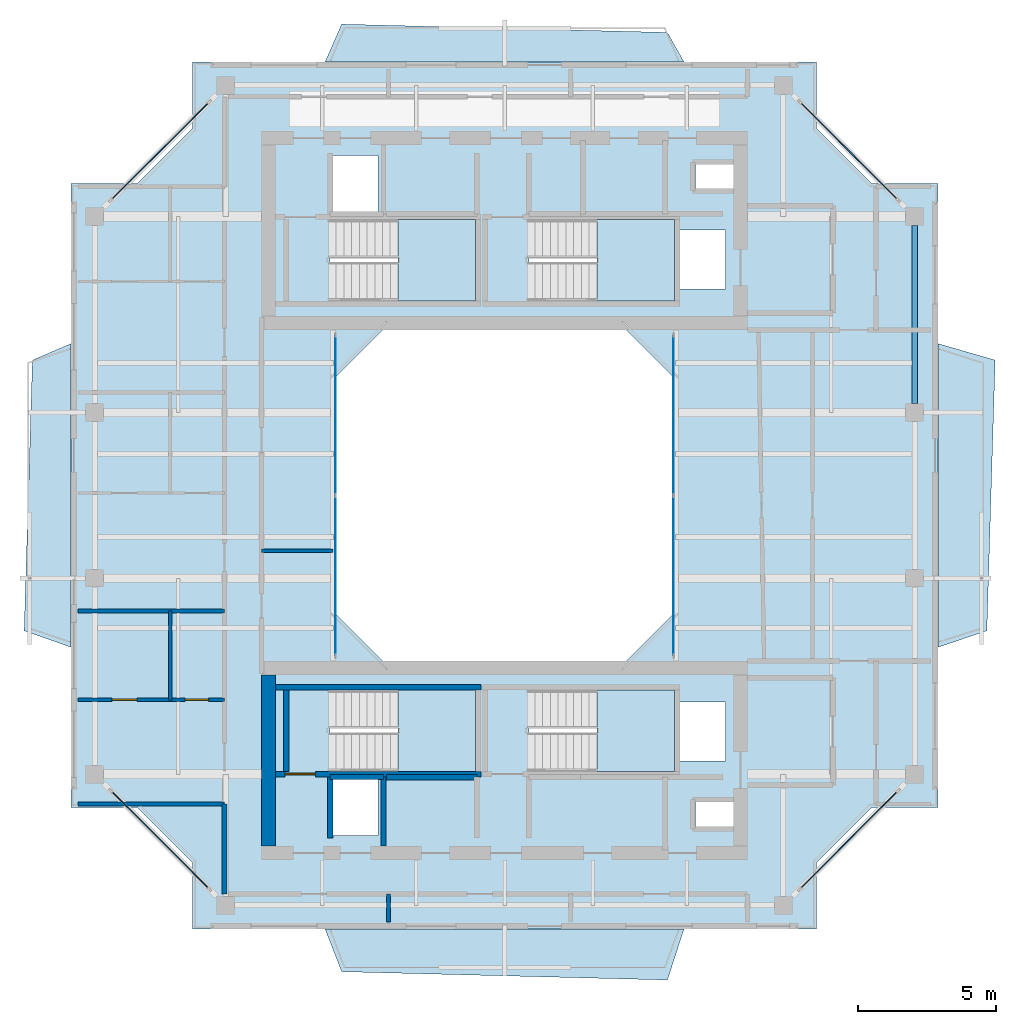
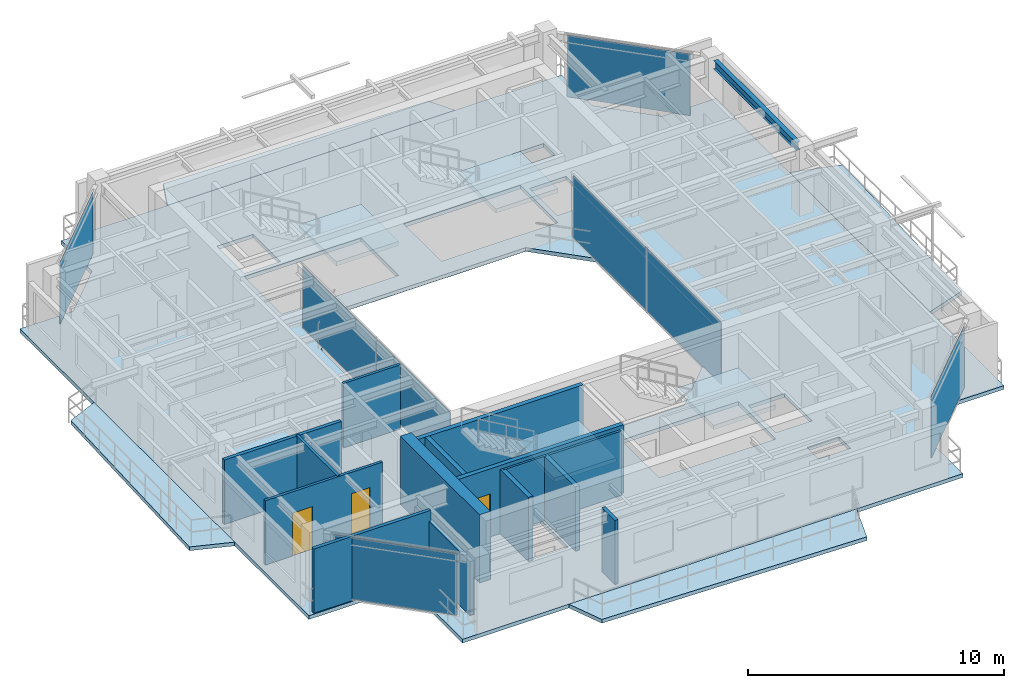
# One storey, part 8 of 15: 15 walls, 9 slabs, 8 plates, 3 doors, 1 beam, 3 openings, 10 elements without a shape of their own.
"""IFC4 building model written with IfcOpenShell, lengths in metres."""

from ifc_helpers import new_model, si_unit, direction, frame, frame_2d, origin, origin_2d, place, context, subcontext, project, spatial, polyline, rectangle, i_section, outline, extrude, source, transform, mapped, material, layer, layer_set, material_profile, profile_set, type_object, element, fill, aggregate, save


model = new_model("IFC4")

# Units and contexts
model_context = context("Model", 3, precision=1e-05, world=origin(), true_north=direction((0.0, 1.0)))
body_context = subcontext(model_context, "Body", "Model", "MODEL_VIEW")
ifc_project = project(units=[si_unit("LENGTHUNIT", "METRE"), si_unit("AREAUNIT", "SQUARE_METRE"), si_unit("VOLUMEUNIT", "CUBIC_METRE"), si_unit("PLANEANGLEUNIT", "RADIAN"), si_unit("MASSUNIT", "GRAM", prefix="KILO"), si_unit("THERMODYNAMICTEMPERATUREUNIT", "KELVIN"), si_unit("POWERUNIT", "WATT")], contexts=[model_context])

# Site, building, storey
site_placement = place(None, origin())
site = spatial("IfcSite", under=ifc_project, at=site_placement, CompositionType="ELEMENT")
building_placement = place(site_placement, origin())
building = spatial("IfcBuilding", under=site, at=building_placement, Name="Qiaomeng Ring Towers", CompositionType="ELEMENT")
storey_placement = place(building_placement, frame((0.0, 0.0, 256.75)))
storey = spatial("IfcBuildingStorey", under=building, at=storey_placement, Name="L75", CompositionType="ELEMENT", Elevation=256.75)

# Beam
ifc_material_1 = material(Name="Steel Q355B", Category="steel")
ifc_material_profile = material_profile(ifc_material_1, i_section(OverallWidth=0.198974609375, OverallDepth=0.39599609375, WebThickness=0.007080078125, FlangeThickness=0.010986328125, FilletRadius=0.01611328125, at=origin_2d()), Name="HN 396x199x7x11")
ifc_profile_set = profile_set([ifc_material_profile], Name="Steel Q355B")
beam_type = type_object("IfcBeamType", Name="STR-BM-HN396", PredefinedType="SPANDREL", material=ifc_profile_set)
shared_shape_1 = source(origin(), body_context, "Body", "SweptSolid", [
    extrude(i_section(OverallWidth=0.198974609375, OverallDepth=0.39599609375, WebThickness=0.007080078125, FlangeThickness=0.010986328125, FilletRadius=0.01611328125, at=origin_2d()), origin(), (0.0, 0.0, 1.0), 6.451904296875),
])
beam_placement = place(storey_placement, frame((33.85009765625, 26.323974609375, 2.8720703125), z_axis=(0.0, 1.0, 0.0), x_axis=(-1.0, 0.0, 0.0)))
element("IfcBeam", 1, at=beam_placement, inside=storey, type_object=beam_type, Name="L75 beam STR-SP-L75-T1-E3-E4", PredefinedType="SPANDREL", context=body_context, shape_type="MappedRepresentation", body=[
    mapped(shared_shape_1, transform((0.0, 0.0, 0.0), x_axis=(1.0, 0.0, 0.0), y_axis=(0.0, 1.0, 0.0), z_axis=(0.0, 0.0, 1.0), scale=1.0)),
])

# Slabs
ifc_material_2 = material(Name="Concrete C40", Category="concrete")
ifc_layer_1 = layer(ifc_material_2, 0.179931640625, Name="Concrete C40")
ifc_layer_set_1 = layer_set([ifc_layer_1], Name="Concrete C40")
slab_type_1 = type_object("IfcSlabType", Name="STR-SL-180", PredefinedType="FLOOR", material=ifc_layer_set_1)
slab_1_placement = place(storey_placement, frame((0.0, 0.0, -0.179931640625)))
element("IfcSlab", 2, at=slab_1_placement, inside=storey, type_object=slab_type_1, Name="L75 Tower 1 Annular Floor Slab", PredefinedType="FLOOR", context=body_context, shape_type="SweptSolid", body=[
    extrude(outline(polyline([(7.699951171875, 7.300048828125), (30.300048828125, 7.300048828125), (30.300048828125, 9.699951171875), (32.300048828125, 11.699951171875), (34.699951171875, 11.699951171875), (34.699951171875, 34.300048828125), (32.300048828125, 34.300048828125), (30.300048828125, 36.300048828125), (30.300048828125, 38.699951171875), (7.699951171875, 38.699951171875), (7.699951171875, 36.300048828125), (5.699951171875, 34.300048828125), (3.300048828125, 34.300048828125), (3.300048828125, 11.699951171875), (5.699951171875, 11.699951171875), (7.699951171875, 9.699951171875), (7.699951171875, 7.300048828125)]), holes=[polyline([(12.780029296875, 10.679931640625), (12.780029296875, 12.820068359375), (14.419921875, 12.820068359375), (14.419921875, 10.679931640625), (12.780029296875, 10.679931640625)]), polyline([(12.679931640625, 13.010009765625), (12.679931640625, 15.949951171875), (17.949951171875, 15.949951171875), (17.949951171875, 13.010009765625), (12.679931640625, 13.010009765625)]), polyline([(23.199951171875, 29.199951171875), (25.199951171875, 27.199951171875), (25.199951171875, 18.800048828125), (23.199951171875, 16.800048828125), (14.800048828125, 16.800048828125), (12.800048828125, 18.800048828125), (12.800048828125, 27.199951171875), (14.800048828125, 29.199951171875), (23.199951171875, 29.199951171875)]), polyline([(12.679931640625, 32.989990234375), (17.949951171875, 32.989990234375), (17.949951171875, 30.050048828125), (12.679931640625, 30.050048828125), (12.679931640625, 32.989990234375)]), polyline([(19.8798828125, 32.989990234375), (25.14990234375, 32.989990234375), (25.14990234375, 30.050048828125), (19.8798828125, 30.050048828125), (19.8798828125, 32.989990234375)]), polyline([(12.780029296875, 33.179931640625), (12.780029296875, 35.320068359375), (14.419921875, 35.320068359375), (14.419921875, 33.179931640625), (12.780029296875, 33.179931640625)]), polyline([(25.919921875, 11.89990234375), (27.360107421875, 11.89990234375), (27.360107421875, 11.0), (25.919921875, 11.0), (25.919921875, 11.89990234375)]), polyline([(25.360107421875, 15.52001953125), (27.0, 15.52001953125), (27.0, 13.3798828125), (25.360107421875, 13.3798828125), (25.360107421875, 15.52001953125)]), polyline([(19.8798828125, 13.010009765625), (19.8798828125, 15.949951171875), (25.14990234375, 15.949951171875), (25.14990234375, 13.010009765625), (19.8798828125, 13.010009765625)]), polyline([(25.360107421875, 32.6201171875), (27.0, 32.6201171875), (27.0, 30.47998046875), (25.360107421875, 30.47998046875), (25.360107421875, 32.6201171875)]), polyline([(25.919921875, 35.0), (27.360107421875, 35.0), (27.360107421875, 34.10009765625), (25.919921875, 34.10009765625), (25.919921875, 35.0)])]), origin(), (0.0, 0.0, 1.0), 0.179931640625),
])
ifc_layer_2 = layer(ifc_material_2, 0.179931640625, Name="Concrete C40")
ifc_layer_set_2 = layer_set([ifc_layer_2], Name="Concrete C40")
slab_type_2 = type_object("IfcSlabType", Name="STR-SL-BAL", PredefinedType="FLOOR", material=ifc_layer_set_2)
slab_2_placement = place(storey_placement, frame((0.0, 0.0, -0.179931640625)))
element("IfcSlab", 3, at=slab_2_placement, inside=storey, type_object=slab_type_2, Name="L75 Tower 1 S Faceted Balcony Slab", PredefinedType="FLOOR", context=body_context, shape_type="SweptSolid", body=[
    extrude(outline(polyline([(24.89990234375, 5.449951171875), (13.10009765625, 5.75), (12.5, 7.300048828125), (25.5, 7.300048828125), (24.89990234375, 5.449951171875)])), origin(), (0.0, 0.0, 1.0), 0.179931640625),
])
slab_3_placement = place(storey_placement, frame((0.0, 0.0, -0.179931640625)))
element("IfcSlab", 4, at=slab_3_placement, inside=storey, type_object=slab_type_2, Name="L75 Tower 1 E Faceted Balcony Slab", PredefinedType="FLOOR", context=body_context, shape_type="SweptSolid", body=[
    extrude(outline(polyline([(36.77001953125, 27.89990234375), (36.469970703125, 18.10009765625), (34.699951171875, 17.5), (34.699951171875, 28.5), (36.77001953125, 27.89990234375)])), origin(), (0.0, 0.0, 1.0), 0.179931640625),
])
slab_4_placement = place(storey_placement, frame((0.0, 0.0, -0.179931640625)))
element("IfcSlab", 5, at=slab_4_placement, inside=storey, type_object=slab_type_2, Name="L75 Tower 1 N Faceted Balcony Slab", PredefinedType="FLOOR", context=body_context, shape_type="SweptSolid", body=[
    extrude(outline(polyline([(12.5, 38.699951171875), (13.10009765625, 40.070068359375), (24.89990234375, 39.77001953125), (25.5, 38.699951171875), (12.5, 38.699951171875)])), origin(), (0.0, 0.0, 1.0), 0.179931640625),
])
slab_5_placement = place(storey_placement, frame((0.0, 0.0, -0.179931640625)))
element("IfcSlab", 6, at=slab_5_placement, inside=storey, type_object=slab_type_2, Name="L75 Tower 1 W Faceted Balcony Slab", PredefinedType="FLOOR", context=body_context, shape_type="SweptSolid", body=[
    extrude(outline(polyline([(1.60009765625, 18.10009765625), (1.89990234375, 27.89990234375), (3.300048828125, 28.5), (3.300048828125, 17.5), (1.60009765625, 18.10009765625)])), origin(), (0.0, 0.0, 1.0), 0.179931640625),
])

# Stair, slab
ifc_material_3 = material(Name="Precast concrete C40", Category="concrete")
stair_type = type_object("IfcStairType", Name="ARC-ST-325", PredefinedType="HALF_TURN_STAIR", material=ifc_material_3)
stair_1_placement = place(storey_placement, origin())
stair_1 = element("IfcStair", 7, at=stair_1_placement, inside=storey, type_object=stair_type, Name="L75 Tower 1 North Stair 1", PredefinedType="HALF_TURN_STAIR")
ifc_layer_3 = layer(ifc_material_2, 0.199951171875, Name="Concrete C40")
ifc_layer_set_3 = layer_set([ifc_layer_3], Name="Concrete C40")
slab_type_3 = type_object("IfcSlabType", Name="STR-SL-LANDING", PredefinedType="LANDING", material=ifc_layer_set_3)
slab_6_placement = place(storey_placement, frame((0.0, 0.0, 1.425048828125)))
slab_6 = element("IfcSlab", 8, at=slab_6_placement, type_object=slab_type_3, Name="ST1 landing 1", PredefinedType="LANDING", context=body_context, shape_type="SweptSolid", body=[
    extrude(outline(polyline([(15.139892578125, 30.050048828125), (17.949951171875, 30.050048828125), (17.949951171875, 32.989990234375), (15.139892578125, 32.989990234375), (15.139892578125, 30.050048828125)])), origin(), (0.0, 0.0, 1.0), 0.199951171875),
])
aggregate(stair_1, [slab_6])

stair_2_placement = place(storey_placement, origin())
stair_2 = element("IfcStair", 9, at=stair_2_placement, inside=storey, type_object=stair_type, Name="L75 Tower 1 North Stair 2", PredefinedType="HALF_TURN_STAIR")
slab_7_placement = place(storey_placement, frame((0.0, 0.0, 1.425048828125)))
slab_7 = element("IfcSlab", 10, at=slab_7_placement, type_object=slab_type_3, Name="ST2 landing 1", PredefinedType="LANDING", context=body_context, shape_type="SweptSolid", body=[
    extrude(outline(polyline([(22.340087890625, 30.050048828125), (25.14990234375, 30.050048828125), (25.14990234375, 32.989990234375), (22.340087890625, 32.989990234375), (22.340087890625, 30.050048828125)])), origin(), (0.0, 0.0, 1.0), 0.199951171875),
])
aggregate(stair_2, [slab_7])

stair_3_placement = place(storey_placement, origin())
stair_3 = element("IfcStair", 11, at=stair_3_placement, inside=storey, type_object=stair_type, Name="L75 Tower 1 South Stair 3", PredefinedType="HALF_TURN_STAIR")
slab_8_placement = place(storey_placement, frame((0.0, 0.0, 1.425048828125)))
slab_8 = element("IfcSlab", 12, at=slab_8_placement, type_object=slab_type_3, Name="ST3 landing 1", PredefinedType="LANDING", context=body_context, shape_type="SweptSolid", body=[
    extrude(outline(polyline([(15.139892578125, 13.010009765625), (17.949951171875, 13.010009765625), (17.949951171875, 15.949951171875), (15.139892578125, 15.949951171875), (15.139892578125, 13.010009765625)])), origin(), (0.0, 0.0, 1.0), 0.199951171875),
])
aggregate(stair_3, [slab_8])

stair_4_placement = place(storey_placement, origin())
stair_4 = element("IfcStair", 13, at=stair_4_placement, inside=storey, type_object=stair_type, Name="L75 Tower 1 South Stair 4", PredefinedType="HALF_TURN_STAIR")
slab_9_placement = place(storey_placement, frame((0.0, 0.0, 1.425048828125)))
slab_9 = element("IfcSlab", 14, at=slab_9_placement, type_object=slab_type_3, Name="ST4 landing 1", PredefinedType="LANDING", context=body_context, shape_type="SweptSolid", body=[
    extrude(outline(polyline([(22.340087890625, 13.010009765625), (25.14990234375, 13.010009765625), (25.14990234375, 15.949951171875), (22.340087890625, 15.949951171875), (22.340087890625, 13.010009765625)])), origin(), (0.0, 0.0, 1.0), 0.199951171875),
])
aggregate(stair_4, [slab_9])

# Curtain wall, plates
ifc_material_4 = material(Name="Fluorocarbon dark-grey aluminium", Category="aluminium")
ifc_layer_4 = layer(ifc_material_4, 0.139892578125, Name="Fluorocarbon dark-grey aluminium")
ifc_layer_set_4 = layer_set([ifc_layer_4], Name="Fluorocarbon dark-grey aluminium")
curtain_wall_type_1 = type_object("IfcCurtainWallType", Name="ARC-CW-4", PredefinedType="NOTDEFINED", material=ifc_layer_set_4)
curtain_wall_1_placement = place(storey_placement, origin())
curtain_wall_1 = element("IfcCurtainWall", 15, at=curtain_wall_1_placement, inside=storey, type_object=curtain_wall_type_1, Name="L75 Curtain Wall CW4", PredefinedType="NOTDEFINED")
ifc_material_5 = material(Name="Low-E dark-grey laminated double glazing", Category="glass")
ifc_layer_5 = layer(ifc_material_5, 0.028076171875, Name="Low-E dark-grey laminated double glazing")
ifc_layer_set_5 = layer_set([ifc_layer_5], Name="Low-E dark-grey laminated double glazing")
plate_type = type_object("IfcPlateType", Name="ARC-CWP-DARK", PredefinedType="CURTAIN_PANEL", material=ifc_layer_set_5)
shared_shape_2 = source(origin(), body_context, "Body", "SweptSolid", [
    extrude(rectangle(XDim=5.75244140625, YDim=0.028076171875, at=origin_2d()), origin(), (0.0, 0.0, 1.0), 2.93994140625),
])
plate_1_placement = place(storey_placement, frame((12.8798828125, 20.09130859375, 0.06494140625), z_axis=(0.0, 0.0, 1.0), x_axis=(0.0, 1.0, 0.0)))
plate_1 = element("IfcPlate", 16, at=plate_1_placement, type_object=plate_type, Name="CW4 panel 1.1", PredefinedType="CURTAIN_PANEL", context=body_context, shape_type="MappedRepresentation", body=[
    mapped(shared_shape_2, transform((0.0, 0.0, 0.0), x_axis=(1.0, 0.0, 0.0), y_axis=(0.0, 1.0, 0.0), z_axis=(0.0, 0.0, 1.0), scale=1.0)),
])
plate_2_placement = place(storey_placement, frame((12.8798828125, 25.90869140625, 0.06494140625), z_axis=(0.0, 0.0, 1.0), x_axis=(0.0, 1.0, 0.0)))
plate_2 = element("IfcPlate", 17, at=plate_2_placement, type_object=plate_type, Name="CW4 panel 2.1", PredefinedType="CURTAIN_PANEL", context=body_context, shape_type="MappedRepresentation", body=[
    mapped(shared_shape_2, transform((0.0, 0.0, 0.0), x_axis=(1.0, 0.0, 0.0), y_axis=(0.0, 1.0, 0.0), z_axis=(0.0, 0.0, 1.0), scale=1.0)),
])
aggregate(curtain_wall_1, [plate_1, plate_2])

curtain_wall_2_placement = place(storey_placement, origin())
curtain_wall_2 = element("IfcCurtainWall", 18, at=curtain_wall_2_placement, inside=storey, type_object=curtain_wall_type_1, Name="L75 Curtain Wall CW4", PredefinedType="NOTDEFINED")
plate_3_placement = place(storey_placement, frame((25.1201171875, 20.09130859375, 0.06494140625), z_axis=(0.0, 0.0, 1.0), x_axis=(0.0, 1.0, 0.0)))
plate_3 = element("IfcPlate", 19, at=plate_3_placement, type_object=plate_type, Name="CW4 panel 1.1", PredefinedType="CURTAIN_PANEL", context=body_context, shape_type="MappedRepresentation", body=[
    mapped(shared_shape_2, transform((0.0, 0.0, 0.0), x_axis=(1.0, 0.0, 0.0), y_axis=(0.0, 1.0, 0.0), z_axis=(0.0, 0.0, 1.0), scale=1.0)),
])
plate_4_placement = place(storey_placement, frame((25.1201171875, 25.90869140625, 0.06494140625), z_axis=(0.0, 0.0, 1.0), x_axis=(0.0, 1.0, 0.0)))
plate_4 = element("IfcPlate", 20, at=plate_4_placement, type_object=plate_type, Name="CW4 panel 2.1", PredefinedType="CURTAIN_PANEL", context=body_context, shape_type="MappedRepresentation", body=[
    mapped(shared_shape_2, transform((0.0, 0.0, 0.0), x_axis=(1.0, 0.0, 0.0), y_axis=(0.0, 1.0, 0.0), z_axis=(0.0, 0.0, 1.0), scale=1.0)),
])
aggregate(curtain_wall_2, [plate_3, plate_4])

# Curtain wall, plate
ifc_layer_6 = layer(ifc_material_4, 0.14990234375, Name="Fluorocarbon dark-grey aluminium")
ifc_layer_set_6 = layer_set([ifc_layer_6], Name="Fluorocarbon dark-grey aluminium")
curtain_wall_type_2 = type_object("IfcCurtainWallType", Name="ARC-CW-3", PredefinedType="NOTDEFINED", material=ifc_layer_set_6)
curtain_wall_3_placement = place(storey_placement, origin())
curtain_wall_3 = element("IfcCurtainWall", 21, at=curtain_wall_3_placement, inside=storey, type_object=curtain_wall_type_2, Name="L75 Curtain Wall CW3", PredefinedType="NOTDEFINED")
shared_shape_3 = source(origin(), body_context, "Body", "SweptSolid", [
    extrude(rectangle(XDim=4.9794921875, YDim=0.028076171875, at=origin_2d()), origin(), (0.0, 0.0, 1.0), 2.93994140625),
])
plate_5_placement = place(storey_placement, frame((31.47509765625, 10.52490234375, 0.06494140625), z_axis=(0.0, 0.0, 1.0), x_axis=(0.707106781187, 0.707106781187, 0.0)))
plate_5 = element("IfcPlate", 22, at=plate_5_placement, type_object=plate_type, Name="CW3 panel 1.1", PredefinedType="CURTAIN_PANEL", context=body_context, shape_type="MappedRepresentation", body=[
    mapped(shared_shape_3, transform((0.0, 0.0, 0.0), x_axis=(1.0, 0.0, 0.0), y_axis=(0.0, 1.0, 0.0), z_axis=(0.0, 0.0, 1.0), scale=1.0)),
])
aggregate(curtain_wall_3, [plate_5])

curtain_wall_4_placement = place(storey_placement, origin())
curtain_wall_4 = element("IfcCurtainWall", 23, at=curtain_wall_4_placement, inside=storey, type_object=curtain_wall_type_2, Name="L75 Curtain Wall CW3", PredefinedType="NOTDEFINED")
plate_6_placement = place(storey_placement, frame((31.47509765625, 35.47509765625, 0.06494140625), z_axis=(0.0, 0.0, 1.0), x_axis=(-0.707106781187, 0.707106781187, 0.0)))
plate_6 = element("IfcPlate", 24, at=plate_6_placement, type_object=plate_type, Name="CW3 panel 1.1", PredefinedType="CURTAIN_PANEL", context=body_context, shape_type="MappedRepresentation", body=[
    mapped(shared_shape_3, transform((0.0, 0.0, 0.0), x_axis=(1.0, 0.0, 0.0), y_axis=(0.0, 1.0, 0.0), z_axis=(0.0, 0.0, 1.0), scale=1.0)),
])
aggregate(curtain_wall_4, [plate_6])

curtain_wall_5_placement = place(storey_placement, origin())
curtain_wall_5 = element("IfcCurtainWall", 25, at=curtain_wall_5_placement, inside=storey, type_object=curtain_wall_type_2, Name="L75 Curtain Wall CW3", PredefinedType="NOTDEFINED")
plate_7_placement = place(storey_placement, frame((6.52490234375, 35.47509765625, 0.06494140625), z_axis=(0.0, 0.0, 1.0), x_axis=(-0.707106781187, -0.707106781187, 0.0)))
plate_7 = element("IfcPlate", 26, at=plate_7_placement, type_object=plate_type, Name="CW3 panel 1.1", PredefinedType="CURTAIN_PANEL", context=body_context, shape_type="MappedRepresentation", body=[
    mapped(shared_shape_3, transform((0.0, 0.0, 0.0), x_axis=(1.0, 0.0, 0.0), y_axis=(0.0, 1.0, 0.0), z_axis=(0.0, 0.0, 1.0), scale=1.0)),
])
aggregate(curtain_wall_5, [plate_7])

curtain_wall_6_placement = place(storey_placement, origin())
curtain_wall_6 = element("IfcCurtainWall", 27, at=curtain_wall_6_placement, inside=storey, type_object=curtain_wall_type_2, Name="L75 Curtain Wall CW3", PredefinedType="NOTDEFINED")
plate_8_placement = place(storey_placement, frame((6.52490234375, 10.52490234375, 0.06494140625), z_axis=(0.0, 0.0, 1.0), x_axis=(0.707106781187, -0.707106781187, 0.0)))
plate_8 = element("IfcPlate", 28, at=plate_8_placement, type_object=plate_type, Name="CW3 panel 1.1", PredefinedType="CURTAIN_PANEL", context=body_context, shape_type="MappedRepresentation", body=[
    mapped(shared_shape_3, transform((0.0, 0.0, 0.0), x_axis=(1.0, 0.0, 0.0), y_axis=(0.0, 1.0, 0.0), z_axis=(0.0, 0.0, 1.0), scale=1.0)),
])
aggregate(curtain_wall_6, [plate_8])

# Walls
ifc_material_6 = material(Name="Autoclaved aerated concrete block", Category="concrete")
ifc_layer_7 = layer(ifc_material_6, 0.199951171875, Name="Autoclaved aerated concrete block")
ifc_layer_set_7 = layer_set([ifc_layer_7], Name="Autoclaved aerated concrete block")
wall_type_1 = type_object("IfcWallType", Name="ARC-WL-PW1", PredefinedType="PARTITIONING", material=ifc_layer_set_7)
wall_1_placement = place(storey_placement, frame((12.679931640625, 10.60009765625, 0.0), z_axis=(0.0, 0.0, 1.0), x_axis=(0.0, 1.0, 0.0)))
element("IfcWall", 29, at=wall_1_placement, inside=storey, type_object=wall_type_1, Name="L75 Interior Wall PW1", PredefinedType="PARTITIONING", context=body_context, shape_type="SweptSolid", body=[
    extrude(rectangle(XDim=2.2099609375, YDim=0.199951171875, at=frame_2d((1.10498046875, 0.0))), origin(), (0.0, 0.0, 1.0), 3.070068359375),
])
wall_2_placement = place(storey_placement, frame((14.719970703125, 12.800048828125, 0.0), z_axis=(0.0, 0.0, 1.0), x_axis=(1.0, 0.0, 0.0)))
element("IfcWall", 30, at=wall_2_placement, inside=storey, type_object=wall_type_1, Name="L75 Interior Wall PW1", PredefinedType="PARTITIONING", context=body_context, shape_type="SweptSolid", body=[
    extrude(rectangle(XDim=3.280029296875, YDim=0.199951171875, at=frame_2d((1.64013671875, 0.0))), origin(), (0.0, 0.0, 1.0), 3.070068359375),
])
ifc_layer_8 = layer(ifc_material_6, 0.179931640625, Name="Autoclaved aerated concrete block")
ifc_layer_set_8 = layer_set([ifc_layer_8], Name="Autoclaved aerated concrete block")
wall_type_2 = type_object("IfcWallType", Name="ARC-WL-PW2", PredefinedType="PARTITIONING", material=ifc_layer_set_8)
wall_3_placement = place(storey_placement, frame((8.85009765625, 8.56005859375, 0.0), z_axis=(0.0, 0.0, 1.0), x_axis=(0.0, 1.0, 0.0)))
element("IfcWall", 31, at=wall_3_placement, inside=storey, type_object=wall_type_2, Name="L75 Interior Wall PW2", PredefinedType="PARTITIONING", context=body_context, shape_type="SweptSolid", body=[
    extrude(rectangle(XDim=3.260009765625, YDim=0.179931640625, at=frame_2d((1.6298828125, 0.0))), origin(), (0.0, 0.0, 1.0), 2.569091796875),
])
ifc_material_7 = material(Name="Gypsum fireboard steel-stud partition", Category="steel")
ifc_layer_9 = layer(ifc_material_7, 0.14990234375, Name="Gypsum fireboard steel-stud partition")
ifc_layer_set_9 = layer_set([ifc_layer_9], Name="Gypsum fireboard steel-stud partition")
wall_type_3 = type_object("IfcWallType", Name="ARC-WL-PW3", PredefinedType="PARTITIONING", material=ifc_layer_set_9)
wall_4_placement = place(storey_placement, frame((3.550048828125, 11.820068359375, 0.0), z_axis=(0.0, 0.0, 1.0), x_axis=(1.0, 0.0, 0.0)))
element("IfcWall", 32, at=wall_4_placement, inside=storey, type_object=wall_type_3, Name="L75 Interior Wall PW3", PredefinedType="PARTITIONING", context=body_context, shape_type="SweptSolid", body=[
    extrude(rectangle(XDim=5.300048828125, YDim=0.14990234375, at=frame_2d((2.64990234375, 0.0))), origin(), (0.0, 0.0, 1.0), 3.070068359375),
])
wall_5_placement = place(storey_placement, frame((14.800048828125, 7.550048828125, 0.0), z_axis=(0.0, 0.0, 1.0), x_axis=(0.0, 1.0, 0.0)))
element("IfcWall", 33, at=wall_5_placement, inside=storey, type_object=wall_type_3, Name="L75 Interior Wall PW3", PredefinedType="PARTITIONING", context=body_context, shape_type="SweptSolid", body=[
    extrude(rectangle(XDim=1.010009765625, YDim=0.14990234375, at=frame_2d((0.5048828125, 0.0))), origin(), (0.0, 0.0, 1.0), 3.070068359375),
])
wall_6_placement = place(storey_placement, frame((3.550048828125, 18.820068359375, 0.0), z_axis=(0.0, 0.0, 1.0), x_axis=(1.0, 0.0, 0.0)))
element("IfcWall", 34, at=wall_6_placement, inside=storey, type_object=wall_type_3, Name="L75 Interior Wall PW3", PredefinedType="PARTITIONING", context=body_context, shape_type="SweptSolid", body=[
    extrude(rectangle(XDim=5.300048828125, YDim=0.14990234375, at=frame_2d((2.64990234375, 0.0))), origin(), (0.0, 0.0, 1.0), 3.070068359375),
])

# Wall, openings, doors
ifc_material_8 = material(Name="Moisture-resistant gypsum steel-stud partition", Category="steel")
ifc_layer_10 = layer(ifc_material_8, 0.1201171875, Name="Moisture-resistant gypsum steel-stud partition")
ifc_layer_set_10 = layer_set([ifc_layer_10], Name="Moisture-resistant gypsum steel-stud partition")
wall_type_4 = type_object("IfcWallType", Name="ARC-WL-PW4", PredefinedType="PLUMBINGWALL", material=ifc_layer_set_10)
wall_7_placement = place(storey_placement, frame((3.550048828125, 15.60009765625, 0.0), z_axis=(0.0, 0.0, 1.0), x_axis=(1.0, 0.0, 0.0)))
wall_7 = element("IfcWall", 35, at=wall_7_placement, inside=storey, type_object=wall_type_4, Name="L75 Interior Wall PW4", PredefinedType="PLUMBINGWALL", context=body_context, shape_type="SweptSolid", body=[
    extrude(rectangle(XDim=5.300048828125, YDim=0.1201171875, at=frame_2d((2.64990234375, 0.0))), origin(), (0.0, 0.0, 1.0), 3.070068359375),
])
opening_1_placement = place(wall_7_placement, frame((1.22998046875, 0.0, 0.0)))
opening_1 = element("IfcOpeningElement", 36, at=opening_1_placement, cuts=wall_7, Name="Opening ID1", PredefinedType="OPENING", context=body_context, shape_type="SweptSolid", body=[
    extrude(rectangle(XDim=0.89990234375, YDim=2.050048828125, at=frame_2d((0.449951171875, 1.02490234375))), frame((0.0, 0.070068359375, 0.0), z_axis=(0.0, -1.0, 0.0), x_axis=(1.0, 0.0, 0.0)), (0.0, 0.0, 1.0), 0.14013671875),
])
opening_2_placement = place(wall_7_placement, frame((3.885009765625, 0.0, 0.0)))
opening_2 = element("IfcOpeningElement", 37, at=opening_2_placement, cuts=wall_7, Name="Opening ID2", PredefinedType="OPENING", context=body_context, shape_type="SweptSolid", body=[
    extrude(rectangle(XDim=0.85009765625, YDim=2.050048828125, at=frame_2d((0.425048828125, 1.02490234375))), frame((0.0, 0.070068359375, 0.0), z_axis=(0.0, -1.0, 0.0), x_axis=(1.0, 0.0, 0.0)), (0.0, 0.0, 1.0), 0.14013671875),
])
ifc_material_9 = material(Name="Moisture-resistant engineered timber", Category="wood")
door_type_1 = type_object("IfcDoorType", Name="ARC-DR-ID2", OperationType="NOTDEFINED", PredefinedType="DOOR", material=ifc_material_9)
shared_shape_4 = source(origin(), body_context, "Body", "SweptSolid", [
    extrude(rectangle(XDim=0.85009765625, YDim=2.050048828125, at=frame_2d((0.425048828125, 1.02490234375))), frame((0.0, 0.02490234375, 0.0), z_axis=(0.0, -1.0, 0.0), x_axis=(1.0, 0.0, 0.0)), (0.0, 0.0, 1.0), 0.050048828125),
])
door_1_placement = place(opening_2_placement, origin())
door_1 = element("IfcDoor", 38, at=door_1_placement, inside=storey, type_object=door_type_1, Name="L75 Door ID2", OperationType="SINGLE_SWING_LEFT", OverallHeight=2.050048828125, OverallWidth=0.85009765625, PredefinedType="DOOR", context=body_context, shape_type="MappedRepresentation", body=[
    mapped(shared_shape_4, transform((0.0, 0.0, 0.0), x_axis=(1.0, 0.0, 0.0), y_axis=(0.0, 1.0, 0.0), z_axis=(0.0, 0.0, 1.0), scale=1.0)),
])
fill(opening_2, door_1)
ifc_material_10 = material(Name="Engineered oak timber", Category="wood")
door_type_2 = type_object("IfcDoorType", Name="ARC-DR-ID1", OperationType="NOTDEFINED", PredefinedType="DOOR", material=ifc_material_10)
shared_shape_5 = source(origin(), body_context, "Body", "SweptSolid", [
    extrude(rectangle(XDim=0.89990234375, YDim=2.050048828125, at=frame_2d((0.449951171875, 1.02490234375))), frame((0.0, 0.02490234375, 0.0), z_axis=(0.0, -1.0, 0.0), x_axis=(1.0, 0.0, 0.0)), (0.0, 0.0, 1.0), 0.050048828125),
])
door_2_placement = place(opening_1_placement, origin())
door_2 = element("IfcDoor", 39, at=door_2_placement, inside=storey, type_object=door_type_2, Name="L75 Door ID1", OperationType="SINGLE_SWING_RIGHT", OverallHeight=2.050048828125, OverallWidth=0.89990234375, PredefinedType="DOOR", context=body_context, shape_type="MappedRepresentation", body=[
    mapped(shared_shape_5, transform((0.0, 0.0, 0.0), x_axis=(1.0, 0.0, 0.0), y_axis=(0.0, 1.0, 0.0), z_axis=(0.0, 0.0, 1.0), scale=1.0)),
])
fill(opening_1, door_2)

# Walls
wall_8_placement = place(storey_placement, frame((6.889892578125, 15.60009765625, 0.0), z_axis=(0.0, 0.0, 1.0), x_axis=(0.0, 1.0, 0.0)))
element("IfcWall", 40, at=wall_8_placement, inside=storey, type_object=wall_type_4, Name="L75 Interior Wall PW4", PredefinedType="PLUMBINGWALL", context=body_context, shape_type="SweptSolid", body=[
    extrude(rectangle(XDim=3.219970703125, YDim=0.1201171875, at=frame_2d((1.60986328125, 0.0))), origin(), (0.0, 0.0, 1.0), 3.070068359375),
])
wall_9_placement = place(storey_placement, frame((10.199951171875, 21.0, 0.0), z_axis=(0.0, 0.0, 1.0), x_axis=(1.0, 0.0, 0.0)))
element("IfcWall", 41, at=wall_9_placement, inside=storey, type_object=wall_type_4, Name="L75 Interior Wall PW4", PredefinedType="PLUMBINGWALL", context=body_context, shape_type="SweptSolid", body=[
    extrude(rectangle(XDim=2.580078125, YDim=0.1201171875, at=frame_2d((1.2900390625, 0.0))), origin(), (0.0, 0.0, 1.0), 3.070068359375),
])
ifc_layer_11 = layer(ifc_material_2, 0.199951171875, Name="Concrete C40")
ifc_layer_set_11 = layer_set([ifc_layer_11], Name="Concrete C40")
wall_type_5 = type_object("IfcWallType", Name="STR-WL-STSHAFT", PredefinedType="SHEAR", material=ifc_layer_set_11)
wall_10_placement = place(storey_placement, frame((12.679931640625, 12.800048828125, 0.0), z_axis=(0.0, 0.0, 1.0), x_axis=(1.0, 0.0, 0.0)))
element("IfcWall", 42, at=wall_10_placement, inside=storey, type_object=wall_type_5, Name="L75 Lift LP6 Shaft Back Wall", PredefinedType="SHEAR", context=body_context, shape_type="SweptSolid", body=[
    extrude(rectangle(XDim=1.940185546875, YDim=0.179931640625, at=frame_2d((0.97021484375, 0.0))), origin(), (0.0, 0.0, 1.0), 3.070068359375),
])
wall_11_placement = place(storey_placement, frame((14.6201171875, 10.300048828125, 0.0), z_axis=(0.0, 0.0, 1.0), x_axis=(0.0, 1.0, 0.0)))
element("IfcWall", 43, at=wall_11_placement, inside=storey, type_object=wall_type_5, Name="L75 Lift LP6-LP4 Shaft Divider Wall", PredefinedType="SHEAR", context=body_context, shape_type="SweptSolid", body=[
    extrude(rectangle(XDim=2.5, YDim=0.179931640625, at=frame_2d((1.25, 0.0))), origin(), (0.0, 0.0, 1.0), 3.070068359375),
])

# Wall, opening, door
wall_12_placement = place(storey_placement, frame((10.699951171875, 12.909912109375, 0.0), z_axis=(0.0, 0.0, 1.0), x_axis=(1.0, 0.0, 0.0)))
wall_12 = element("IfcWall", 44, at=wall_12_placement, inside=storey, type_object=wall_type_5, Name="L75 Stair ST3 South Shaft Shear Wall", PredefinedType="SHEAR", context=body_context, shape_type="SweptSolid", body=[
    extrude(rectangle(XDim=7.449951171875, YDim=0.199951171875, at=frame_2d((3.72509765625, 0.0))), origin(), (0.0, 0.0, 1.0), 3.25),
])
opening_3_placement = place(wall_12_placement, frame((0.35009765625, 0.0, 0.0)))
opening_3 = element("IfcOpeningElement", 45, at=opening_3_placement, cuts=wall_12, Name="Opening FD3", PredefinedType="OPENING", context=body_context, shape_type="SweptSolid", body=[
    extrude(rectangle(XDim=1.10009765625, YDim=2.050048828125, at=frame_2d((0.550048828125, 1.02490234375))), frame((0.0, 0.10986328125, 0.0), z_axis=(0.0, -1.0, 0.0), x_axis=(1.0, 0.0, 0.0)), (0.0, 0.0, 1.0), 0.219970703125),
])
ifc_material_11 = material(Name="Galvanised steel", Category="steel")
door_type_3 = type_object("IfcDoorType", Name="ARC-DR-FD3", OperationType="NOTDEFINED", PredefinedType="DOOR", material=ifc_material_11)
shared_shape_6 = source(origin(), body_context, "Body", "SweptSolid", [
    extrude(rectangle(XDim=1.10009765625, YDim=2.050048828125, at=frame_2d((0.550048828125, 1.02490234375))), frame((0.0, 0.02490234375, 0.0), z_axis=(0.0, -1.0, 0.0), x_axis=(1.0, 0.0, 0.0)), (0.0, 0.0, 1.0), 0.050048828125),
])
door_3_placement = place(opening_3_placement, frame((1.10009765625, 0.0, 0.0), z_axis=(0.0, 0.0, 1.0), x_axis=(-1.0, 0.0, 0.0)))
door_3 = element("IfcDoor", 46, at=door_3_placement, inside=storey, type_object=door_type_3, Name="L75 Stair ST3 Exit Door", OperationType="SINGLE_SWING_RIGHT", OverallHeight=2.050048828125, OverallWidth=1.10009765625, PredefinedType="DOOR", context=body_context, shape_type="MappedRepresentation", body=[
    mapped(shared_shape_6, transform((0.0, 0.0, 0.0), x_axis=(1.0, 0.0, 0.0), y_axis=(0.0, 1.0, 0.0), z_axis=(0.0, 0.0, 1.0), scale=1.0)),
])
fill(opening_3, door_3)

# Walls
wall_13_placement = place(storey_placement, frame((10.699951171875, 16.050048828125, 0.0), z_axis=(0.0, 0.0, 1.0), x_axis=(1.0, 0.0, 0.0)))
element("IfcWall", 47, at=wall_13_placement, inside=storey, type_object=wall_type_5, Name="L75 Stair ST3 North Shaft Shear Wall", PredefinedType="SHEAR", context=body_context, shape_type="SweptSolid", body=[
    extrude(rectangle(XDim=7.449951171875, YDim=0.199951171875, at=frame_2d((3.72509765625, 0.0))), origin(), (0.0, 0.0, 1.0), 3.25),
])
wall_14_placement = place(storey_placement, frame((11.10009765625, 13.010009765625, 0.0), z_axis=(0.0, 0.0, 1.0), x_axis=(0.0, 1.0, 0.0)))
element("IfcWall", 48, at=wall_14_placement, inside=storey, type_object=wall_type_5, Name="L75 Stair ST3 West Shaft Shear Wall", PredefinedType="SHEAR", context=body_context, shape_type="SweptSolid", body=[
    extrude(rectangle(XDim=2.93994140625, YDim=0.199951171875, at=frame_2d((1.469970703125, 0.0))), origin(), (0.0, 0.0, 1.0), 3.25),
])
ifc_layer_12 = layer(ifc_material_2, 0.5, Name="Concrete C40")
ifc_layer_set_12 = layer_set([ifc_layer_12], Name="Concrete C40")
wall_type_6 = type_object("IfcWallType", Name="STR-WL-SW3", PredefinedType="SHEAR", material=ifc_layer_set_12)
wall_15_placement = place(storey_placement, frame((10.449951171875, 10.300048828125, 0.0), z_axis=(0.0, 0.0, 1.0), x_axis=(0.0, 1.0, 0.0)))
element("IfcWall", 49, at=wall_15_placement, inside=storey, type_object=wall_type_6, Name="L75 T1SC west core shear wall", PredefinedType="SHEAR", context=body_context, shape_type="SweptSolid", body=[
    extrude(rectangle(XDim=6.199951171875, YDim=0.5, at=frame_2d((3.10009765625, 0.0))), origin(), (0.0, 0.0, 1.0), 3.25),
])

save(model, "model.ifc")
